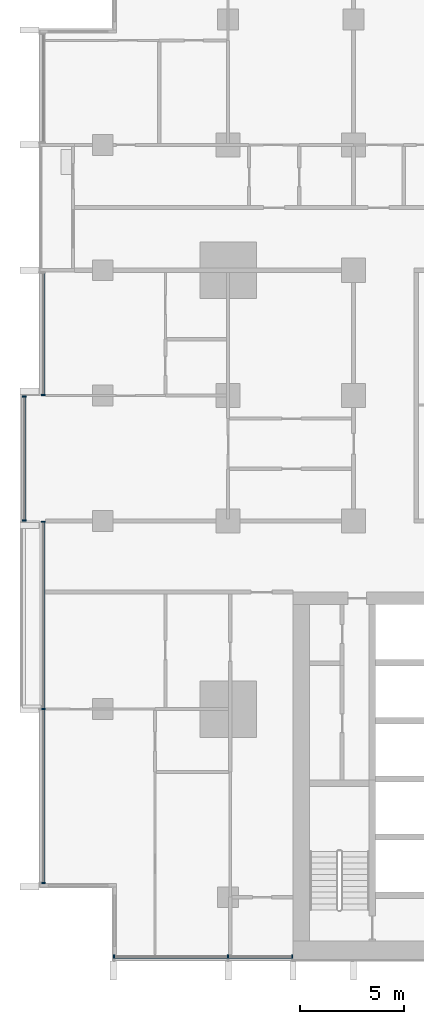
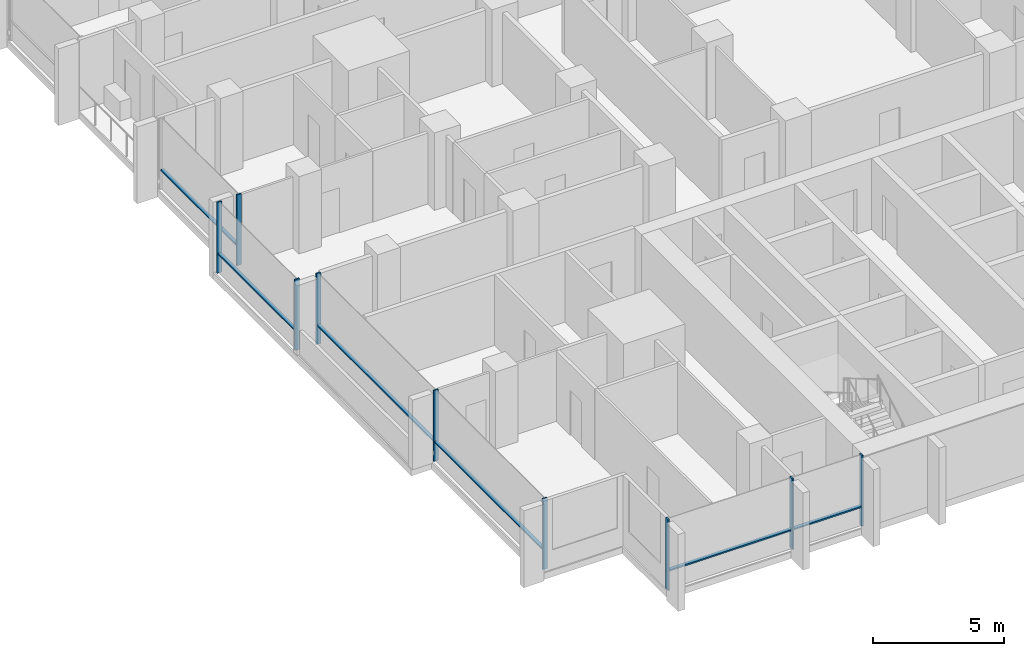
# One storey, part 2 of 18: 15 members, 4 elements without a shape of their own.
"""IFC4 building model written with IfcOpenShell, lengths in metres."""

from ifc_helpers import new_model, si_unit, direction, frame, origin, origin_2d, place, context, subcontext, project, spatial, rectangle, extrude, material, material_profile, profile_set, type_object, element, aggregate, save


model = new_model("IFC4")

# Units and contexts
model_context = context("Model", 3, precision=1e-05, world=origin(), true_north=direction((0.0, 1.0)))
body_context = subcontext(model_context, "Body", "Model", "MODEL_VIEW")
ifc_project = project(units=[si_unit("LENGTHUNIT", "METRE"), si_unit("AREAUNIT", "SQUARE_METRE"), si_unit("VOLUMEUNIT", "CUBIC_METRE"), si_unit("PLANEANGLEUNIT", "RADIAN"), si_unit("MASSUNIT", "GRAM", prefix="KILO")], contexts=[model_context])

# Site, building, storey
site_placement = place(None, origin())
site = spatial("IfcSite", under=ifc_project, at=site_placement, CompositionType="ELEMENT")
building_placement = place(site_placement, origin())
building = spatial("IfcBuilding", under=site, at=building_placement, Name="Finial Court Residences", CompositionType="ELEMENT")
storey_placement = place(building_placement, frame((0.0, 0.0, 106.300048828125)))
storey = spatial("IfcBuildingStorey", under=building, at=storey_placement, Name="L26", CompositionType="ELEMENT", Elevation=106.300048828125)

# Curtain wall, members
ifc_material = material(Name="Bronze anodised aluminium", Category="aluminium")
curtain_wall_type = type_object("IfcCurtainWallType", Name="Unitised curtain wall, lower and middle zones", PredefinedType="NOTDEFINED", material=ifc_material)
curtain_wall_1_placement = place(storey_placement, origin())
curtain_wall_1 = element("IfcCurtainWall", 1, at=curtain_wall_1_placement, inside=storey, type_object=curtain_wall_type, Name="E-L26-CW-S10", PredefinedType="NOTDEFINED")
ifc_material_profile_1 = material_profile(ifc_material, rectangle(XDim=0.199951171875, YDim=0.06494140625, at=origin_2d()), Name="CW1 mullion 65 x 200")
ifc_profile_set_1 = profile_set([ifc_material_profile_1], Name="Bronze anodised aluminium")
member_type_1 = type_object("IfcMemberType", Name="CW1 mullion 65 x 200", PredefinedType="MULLION", material=ifc_profile_set_1)
member_1_placement = place(storey_placement, frame((-21.967529296875, -25.35009765625, 0.0), z_axis=(0.0, 0.0, 1.0), x_axis=(0.0, 1.0, 0.0)))
member_1 = element("IfcMember", 2, at=member_1_placement, type_object=member_type_1, Name="CW1 mullion 1", PredefinedType="MULLION", context=body_context, shape_type="SweptSolid", body=[
    extrude(rectangle(XDim=0.199951171875, YDim=0.06494140625, at=origin_2d()), origin(), (0.0, 0.0, 1.0), 3.300048828125),
])
member_2_placement = place(storey_placement, frame((-16.5, -25.35009765625, 0.0), z_axis=(0.0, 0.0, 1.0), x_axis=(0.0, 1.0, 0.0)))
member_2 = element("IfcMember", 3, at=member_2_placement, type_object=member_type_1, Name="CW1 mullion 2", PredefinedType="MULLION", context=body_context, shape_type="SweptSolid", body=[
    extrude(rectangle(XDim=0.199951171875, YDim=0.06494140625, at=origin_2d()), origin(), (0.0, 0.0, 1.0), 3.300048828125),
])
member_3_placement = place(storey_placement, frame((-13.4326171875, -25.35009765625, 0.0), z_axis=(0.0, 0.0, 1.0), x_axis=(0.0, 1.0, 0.0)))
member_3 = element("IfcMember", 4, at=member_3_placement, type_object=member_type_1, Name="CW1 mullion 3", PredefinedType="MULLION", context=body_context, shape_type="SweptSolid", body=[
    extrude(rectangle(XDim=0.199951171875, YDim=0.06494140625, at=origin_2d()), origin(), (0.0, 0.0, 1.0), 3.300048828125),
])

curtain_wall_2_placement = place(storey_placement, origin())
curtain_wall_2 = element("IfcCurtainWall", 5, at=curtain_wall_2_placement, inside=storey, type_object=curtain_wall_type, Name="E-L26-CW-W12", PredefinedType="NOTDEFINED")
member_4_placement = place(storey_placement, frame((-25.35009765625, -21.8173828125, 0.0), z_axis=(0.0, 0.0, 1.0), x_axis=(-1.0, 0.0, 0.0)))
member_4 = element("IfcMember", 6, at=member_4_placement, type_object=member_type_1, Name="CW1 mullion 1", PredefinedType="MULLION", context=body_context, shape_type="SweptSolid", body=[
    extrude(rectangle(XDim=0.199951171875, YDim=0.06494140625, at=origin_2d()), origin(), (0.0, 0.0, 1.0), 3.300048828125),
])
member_5_placement = place(storey_placement, frame((-25.35009765625, -13.5, 0.0), z_axis=(0.0, 0.0, 1.0), x_axis=(-1.0, 0.0, 0.0)))
member_5 = element("IfcMember", 7, at=member_5_placement, type_object=member_type_1, Name="CW1 mullion 2", PredefinedType="MULLION", context=body_context, shape_type="SweptSolid", body=[
    extrude(rectangle(XDim=0.199951171875, YDim=0.06494140625, at=origin_2d()), origin(), (0.0, 0.0, 1.0), 3.300048828125),
])
member_6_placement = place(storey_placement, frame((-25.35009765625, -4.532470703125, 0.0), z_axis=(0.0, 0.0, 1.0), x_axis=(-1.0, 0.0, 0.0)))
member_6 = element("IfcMember", 8, at=member_6_placement, type_object=member_type_1, Name="CW1 mullion 3", PredefinedType="MULLION", context=body_context, shape_type="SweptSolid", body=[
    extrude(rectangle(XDim=0.199951171875, YDim=0.06494140625, at=origin_2d()), origin(), (0.0, 0.0, 1.0), 3.300048828125),
])

curtain_wall_3_placement = place(storey_placement, origin())
curtain_wall_3 = element("IfcCurtainWall", 9, at=curtain_wall_3_placement, inside=storey, type_object=curtain_wall_type, Name="E-L26-CW-W13", PredefinedType="NOTDEFINED")
member_7_placement = place(storey_placement, frame((-26.25, -4.467529296875, 0.0), z_axis=(0.0, 0.0, 1.0), x_axis=(-1.0, 0.0, 0.0)))
member_7 = element("IfcMember", 10, at=member_7_placement, type_object=member_type_1, Name="CW1 mullion 1", PredefinedType="MULLION", context=body_context, shape_type="SweptSolid", body=[
    extrude(rectangle(XDim=0.199951171875, YDim=0.06494140625, at=origin_2d()), origin(), (0.0, 0.0, 1.0), 3.300048828125),
])
member_8_placement = place(storey_placement, frame((-26.25, 1.467529296875, 0.0), z_axis=(0.0, 0.0, 1.0), x_axis=(-1.0, 0.0, 0.0)))
member_8 = element("IfcMember", 11, at=member_8_placement, type_object=member_type_1, Name="CW1 mullion 2", PredefinedType="MULLION", context=body_context, shape_type="SweptSolid", body=[
    extrude(rectangle(XDim=0.199951171875, YDim=0.06494140625, at=origin_2d()), origin(), (0.0, 0.0, 1.0), 3.300048828125),
])

# Curtain wall, member
curtain_wall_4_placement = place(storey_placement, origin())
curtain_wall_4 = element("IfcCurtainWall", 12, at=curtain_wall_4_placement, inside=storey, type_object=curtain_wall_type, Name="E-L26-CW-W14", PredefinedType="NOTDEFINED")
member_9_placement = place(storey_placement, frame((-25.35009765625, 1.532470703125, 0.0), z_axis=(0.0, 0.0, 1.0), x_axis=(-1.0, 0.0, 0.0)))
member_9 = element("IfcMember", 13, at=member_9_placement, type_object=member_type_1, Name="CW1 mullion 1", PredefinedType="MULLION", context=body_context, shape_type="SweptSolid", body=[
    extrude(rectangle(XDim=0.199951171875, YDim=0.06494140625, at=origin_2d()), origin(), (0.0, 0.0, 1.0), 3.300048828125),
])

# Member
ifc_material_profile_2 = material_profile(ifc_material, rectangle(XDim=0.14990234375, YDim=0.06494140625, at=origin_2d()), Name="CW1 transom 65 x 150")
ifc_profile_set_2 = profile_set([ifc_material_profile_2], Name="Bronze anodised aluminium")
member_type_2 = type_object("IfcMemberType", Name="CW1 transom 65 x 150", PredefinedType="USERDEFINED", material=ifc_profile_set_2)
member_10_placement = place(storey_placement, frame((-21.93505859375, -25.35009765625, 0.89990234375), z_axis=(1.0, 0.0, 0.0), x_axis=(0.0, 1.0, 0.0)))
member_10 = element("IfcMember", 14, at=member_10_placement, type_object=member_type_2, Name="CW1 transom 1.1", ObjectType="TRANSOM", PredefinedType="USERDEFINED", context=body_context, shape_type="SweptSolid", body=[
    extrude(rectangle(XDim=0.14990234375, YDim=0.06494140625, at=origin_2d()), origin(), (0.0, 0.0, 1.0), 5.402587890625),
])

member_11_placement = place(storey_placement, frame((-16.467529296875, -25.35009765625, 0.89990234375), z_axis=(1.0, 0.0, 0.0), x_axis=(0.0, 1.0, 0.0)))
member_11 = element("IfcMember", 15, at=member_11_placement, type_object=member_type_2, Name="CW1 transom 2.1", ObjectType="TRANSOM", PredefinedType="USERDEFINED", context=body_context, shape_type="SweptSolid", body=[
    extrude(rectangle(XDim=0.14990234375, YDim=0.06494140625, at=origin_2d()), origin(), (0.0, 0.0, 1.0), 3.00244140625),
])

aggregate(curtain_wall_1, [member_1, member_2, member_3, member_10, member_11])

member_12_placement = place(storey_placement, frame((-25.35009765625, -21.784912109375, 0.89990234375), z_axis=(0.0, 1.0, 0.0), x_axis=(-1.0, 0.0, 0.0)))
member_12 = element("IfcMember", 16, at=member_12_placement, type_object=member_type_2, Name="CW1 transom 1.1", ObjectType="TRANSOM", PredefinedType="USERDEFINED", context=body_context, shape_type="SweptSolid", body=[
    extrude(rectangle(XDim=0.14990234375, YDim=0.06494140625, at=origin_2d()), origin(), (0.0, 0.0, 1.0), 8.25244140625),
])

member_13_placement = place(storey_placement, frame((-25.35009765625, -13.467529296875, 0.89990234375), z_axis=(0.0, 1.0, 0.0), x_axis=(-1.0, 0.0, 0.0)))
member_13 = element("IfcMember", 17, at=member_13_placement, type_object=member_type_2, Name="CW1 transom 2.1", ObjectType="TRANSOM", PredefinedType="USERDEFINED", context=body_context, shape_type="SweptSolid", body=[
    extrude(rectangle(XDim=0.14990234375, YDim=0.06494140625, at=origin_2d()), origin(), (0.0, 0.0, 1.0), 8.902587890625),
])

aggregate(curtain_wall_2, [member_4, member_5, member_6, member_12, member_13])

member_14_placement = place(storey_placement, frame((-26.25, -4.43505859375, 0.89990234375), z_axis=(0.0, 1.0, 0.0), x_axis=(-1.0, 0.0, 0.0)))
member_14 = element("IfcMember", 18, at=member_14_placement, type_object=member_type_2, Name="CW1 transom 1.1", ObjectType="TRANSOM", PredefinedType="USERDEFINED", context=body_context, shape_type="SweptSolid", body=[
    extrude(rectangle(XDim=0.14990234375, YDim=0.06494140625, at=origin_2d()), origin(), (0.0, 0.0, 1.0), 5.8701171875),
])

aggregate(curtain_wall_3, [member_7, member_8, member_14])

member_15_placement = place(storey_placement, frame((-25.35009765625, 1.56494140625, 0.89990234375), z_axis=(0.0, 1.0, 0.0), x_axis=(-1.0, 0.0, 0.0)))
member_15 = element("IfcMember", 19, at=member_15_placement, type_object=member_type_2, Name="CW1 transom 1.1", ObjectType="TRANSOM", PredefinedType="USERDEFINED", context=body_context, shape_type="SweptSolid", body=[
    extrude(rectangle(XDim=0.14990234375, YDim=0.06494140625, at=origin_2d()), origin(), (0.0, 0.0, 1.0), 5.795166015625),
])

aggregate(curtain_wall_4, [member_9, member_15])

save(model, "model.ifc")
